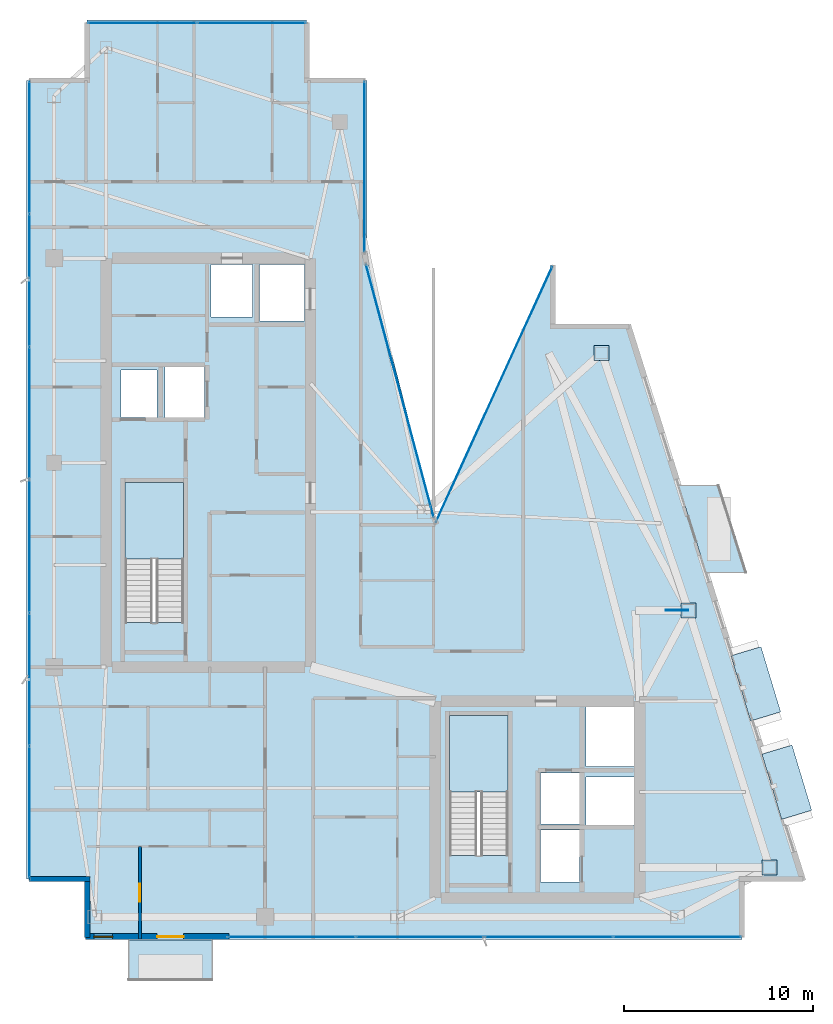
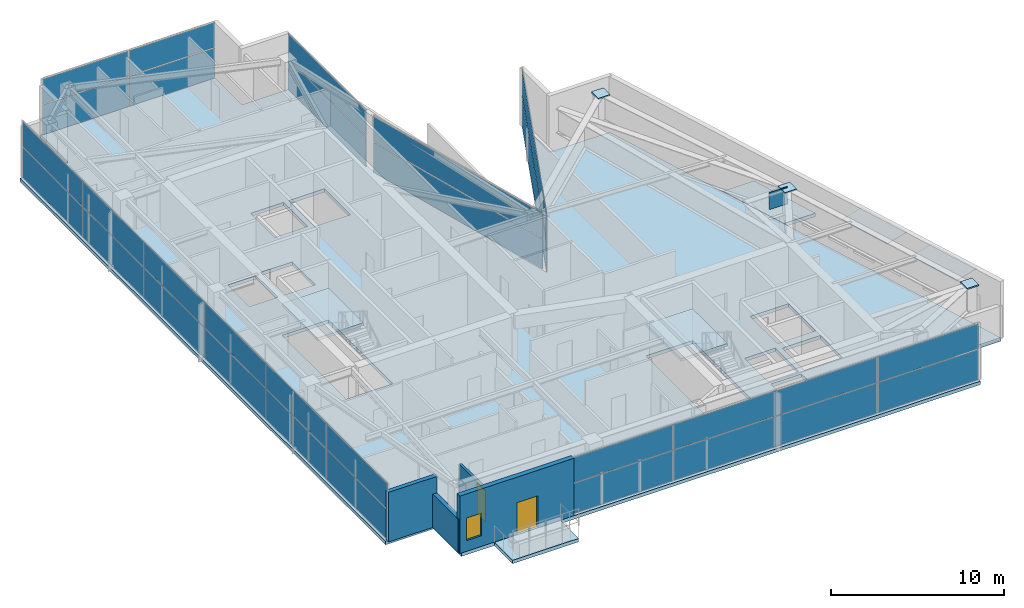
# One storey, part 20 of 26: 36 plates, 5 slabs, 4 walls, 2 doors, 1 window, 3 openings, 8 elements without a shape of their own.
"""IFC4 building model written with IfcOpenShell, lengths in metres."""

from ifc_helpers import new_model, si_unit, direction, frame, frame_2d, origin, origin_2d, place, context, subcontext, project, spatial, polyline, rectangle, outline, extrude, material, layer, layer_set, type_object, element, fill, aggregate, save


model = new_model("IFC4")

# Units and contexts
model_context = context("Model", 3, precision=1e-05, world=origin(), true_north=direction((0.0, 1.0)))
body_context = subcontext(model_context, "Body", "Model", "MODEL_VIEW")
ifc_project = project(units=[si_unit("LENGTHUNIT", "METRE"), si_unit("AREAUNIT", "SQUARE_METRE"), si_unit("VOLUMEUNIT", "CUBIC_METRE"), si_unit("PLANEANGLEUNIT", "RADIAN"), si_unit("MASSUNIT", "GRAM", prefix="KILO")], contexts=[model_context])

# Site, building, storey
site_placement = place(None, origin())
site = spatial("IfcSite", under=ifc_project, at=site_placement, CompositionType="ELEMENT")
building_placement = place(site_placement, origin())
building = spatial("IfcBuilding", under=site, at=building_placement, Name="Calvorn Quay Hotel", CompositionType="ELEMENT")
storey_placement = place(building_placement, frame((0.0, 0.0, 302.5)))
storey = spatial("IfcBuildingStorey", under=building, at=storey_placement, Name="L75", CompositionType="ELEMENT", Elevation=302.5)

# Curtain wall, plates
ifc_material_1 = material(Name="Champagne Bronze Anodised Aluminium and Low-E Glass", Category="aluminium")
ifc_layer_1 = layer(ifc_material_1, 0.219970703125)
ifc_layer_set_1 = layer_set([ifc_layer_1], Name="CW-SYS-Z4")
curtain_wall_type = type_object("IfcCurtainWallType", Name="CW-SYS-Z4", PredefinedType="NOTDEFINED", material=ifc_layer_set_1)
curtain_wall_1_placement = place(storey_placement, origin())
curtain_wall_1 = element("IfcCurtainWall", 1, at=curtain_wall_1_placement, inside=storey, type_object=curtain_wall_type, Name="Tower West Curtain Wall (L75)", PredefinedType="NOTDEFINED")
ifc_material_2 = material(Name="Low-E Laminated Double Glazing", Category="glass")
ifc_layer_2 = layer(ifc_material_2, 0.028076171875)
ifc_layer_set_2 = layer_set([ifc_layer_2], Name="CW-SYS-Z4-PAN")
plate_type_1 = type_object("IfcPlateType", Name="CW-SYS-Z4-PAN", PredefinedType="CURTAIN_PANEL", material=ifc_layer_set_2)
plate_1_placement = place(storey_placement, frame((0.14990234375, 9.131591796875, 0.06005859375), z_axis=(0.0, 0.0, 1.0), x_axis=(0.0, 1.0, 0.0)))
plate_1 = element("IfcPlate", 2, at=plate_1_placement, type_object=plate_type_1, Name="CW-L75-W panel 1.1", PredefinedType="CURTAIN_PANEL", context=body_context, shape_type="SweptSolid", body=[
    extrude(rectangle(XDim=6.943359375, YDim=0.028076171875, at=origin_2d()), origin(), (0.0, 0.0, 1.0), 2.110107421875),
])
plate_2_placement = place(storey_placement, frame((0.14990234375, 9.131591796875, 2.22998046875), z_axis=(0.0, 0.0, 1.0), x_axis=(0.0, 1.0, 0.0)))
plate_2 = element("IfcPlate", 3, at=plate_2_placement, type_object=plate_type_1, Name="CW-L75-W panel 1.2", PredefinedType="CURTAIN_PANEL", context=body_context, shape_type="SweptSolid", body=[
    extrude(rectangle(XDim=6.943359375, YDim=0.028076171875, at=origin_2d()), origin(), (0.0, 0.0, 1.0), 1.760009765625),
])
plate_3_placement = place(storey_placement, frame((0.14990234375, 16.14990234375, 0.06005859375), z_axis=(0.0, 0.0, 1.0), x_axis=(0.0, 1.0, 0.0)))
plate_3 = element("IfcPlate", 4, at=plate_3_placement, type_object=plate_type_1, Name="CW-L75-W panel 2.1", PredefinedType="CURTAIN_PANEL", context=body_context, shape_type="SweptSolid", body=[
    extrude(rectangle(XDim=6.973388671875, YDim=0.028076171875, at=origin_2d()), origin(), (0.0, 0.0, 1.0), 2.110107421875),
])
plate_4_placement = place(storey_placement, frame((0.14990234375, 16.14990234375, 2.22998046875), z_axis=(0.0, 0.0, 1.0), x_axis=(0.0, 1.0, 0.0)))
plate_4 = element("IfcPlate", 5, at=plate_4_placement, type_object=plate_type_1, Name="CW-L75-W panel 2.2", PredefinedType="CURTAIN_PANEL", context=body_context, shape_type="SweptSolid", body=[
    extrude(rectangle(XDim=6.973388671875, YDim=0.028076171875, at=origin_2d()), origin(), (0.0, 0.0, 1.0), 1.760009765625),
])
plate_5_placement = place(storey_placement, frame((0.14990234375, 23.183349609375, 0.06005859375), z_axis=(0.0, 0.0, 1.0), x_axis=(0.0, 1.0, 0.0)))
plate_5 = element("IfcPlate", 6, at=plate_5_placement, type_object=plate_type_1, Name="CW-L75-W panel 3.1", PredefinedType="CURTAIN_PANEL", context=body_context, shape_type="SweptSolid", body=[
    extrude(rectangle(XDim=6.973388671875, YDim=0.028076171875, at=origin_2d()), origin(), (0.0, 0.0, 1.0), 2.110107421875),
])
plate_6_placement = place(storey_placement, frame((0.14990234375, 23.183349609375, 2.22998046875), z_axis=(0.0, 0.0, 1.0), x_axis=(0.0, 1.0, 0.0)))
plate_6 = element("IfcPlate", 7, at=plate_6_placement, type_object=plate_type_1, Name="CW-L75-W panel 3.2", PredefinedType="CURTAIN_PANEL", context=body_context, shape_type="SweptSolid", body=[
    extrude(rectangle(XDim=6.973388671875, YDim=0.028076171875, at=origin_2d()), origin(), (0.0, 0.0, 1.0), 1.760009765625),
])
plate_7_placement = place(storey_placement, frame((0.14990234375, 30.216552734375, 0.06005859375), z_axis=(0.0, 0.0, 1.0), x_axis=(0.0, 1.0, 0.0)))
plate_7 = element("IfcPlate", 8, at=plate_7_placement, type_object=plate_type_1, Name="CW-L75-W panel 4.1", PredefinedType="CURTAIN_PANEL", context=body_context, shape_type="SweptSolid", body=[
    extrude(rectangle(XDim=6.973388671875, YDim=0.028076171875, at=origin_2d()), origin(), (0.0, 0.0, 1.0), 2.110107421875),
])
plate_8_placement = place(storey_placement, frame((0.14990234375, 30.216552734375, 2.22998046875), z_axis=(0.0, 0.0, 1.0), x_axis=(0.0, 1.0, 0.0)))
plate_8 = element("IfcPlate", 9, at=plate_8_placement, type_object=plate_type_1, Name="CW-L75-W panel 4.2", PredefinedType="CURTAIN_PANEL", context=body_context, shape_type="SweptSolid", body=[
    extrude(rectangle(XDim=6.973388671875, YDim=0.028076171875, at=origin_2d()), origin(), (0.0, 0.0, 1.0), 1.760009765625),
])
plate_9_placement = place(storey_placement, frame((0.14990234375, 37.25, 0.06005859375), z_axis=(0.0, 0.0, 1.0), x_axis=(0.0, 1.0, 0.0)))
plate_9 = element("IfcPlate", 10, at=plate_9_placement, type_object=plate_type_1, Name="CW-L75-W panel 5.1", PredefinedType="CURTAIN_PANEL", context=body_context, shape_type="SweptSolid", body=[
    extrude(rectangle(XDim=6.973388671875, YDim=0.028076171875, at=origin_2d()), origin(), (0.0, 0.0, 1.0), 2.110107421875),
])
plate_10_placement = place(storey_placement, frame((0.14990234375, 37.25, 2.22998046875), z_axis=(0.0, 0.0, 1.0), x_axis=(0.0, 1.0, 0.0)))
plate_10 = element("IfcPlate", 11, at=plate_10_placement, type_object=plate_type_1, Name="CW-L75-W panel 5.2", PredefinedType="CURTAIN_PANEL", context=body_context, shape_type="SweptSolid", body=[
    extrude(rectangle(XDim=6.973388671875, YDim=0.028076171875, at=origin_2d()), origin(), (0.0, 0.0, 1.0), 1.760009765625),
])
plate_11_placement = place(storey_placement, frame((0.14990234375, 44.268310546875, 0.06005859375), z_axis=(0.0, 0.0, 1.0), x_axis=(0.0, 1.0, 0.0)))
plate_11 = element("IfcPlate", 12, at=plate_11_placement, type_object=plate_type_1, Name="CW-L75-W panel 6.1", PredefinedType="CURTAIN_PANEL", context=body_context, shape_type="SweptSolid", body=[
    extrude(rectangle(XDim=6.943359375, YDim=0.028076171875, at=origin_2d()), origin(), (0.0, 0.0, 1.0), 2.110107421875),
])
plate_12_placement = place(storey_placement, frame((0.14990234375, 44.268310546875, 2.22998046875), z_axis=(0.0, 0.0, 1.0), x_axis=(0.0, 1.0, 0.0)))
plate_12 = element("IfcPlate", 13, at=plate_12_placement, type_object=plate_type_1, Name="CW-L75-W panel 6.2", PredefinedType="CURTAIN_PANEL", context=body_context, shape_type="SweptSolid", body=[
    extrude(rectangle(XDim=6.943359375, YDim=0.028076171875, at=origin_2d()), origin(), (0.0, 0.0, 1.0), 1.760009765625),
])
aggregate(curtain_wall_1, [plate_1, plate_2, plate_3, plate_4, plate_5, plate_6, plate_7, plate_8, plate_9, plate_10, plate_11, plate_12])

curtain_wall_2_placement = place(storey_placement, origin())
curtain_wall_2 = element("IfcCurtainWall", 14, at=curtain_wall_2_placement, inside=storey, type_object=curtain_wall_type, Name="Tower South Waterfront Curtain Wall (L75)", PredefinedType="NOTDEFINED")
plate_13_placement = place(storey_placement, frame((14.014892578125, 2.550048828125, 0.06005859375), z_axis=(0.0, 0.0, 1.0), x_axis=(1.0, 0.0, 0.0)))
plate_13 = element("IfcPlate", 15, at=plate_13_placement, type_object=plate_type_1, Name="CW-L75-S panel 1.1", PredefinedType="CURTAIN_PANEL", context=body_context, shape_type="SweptSolid", body=[
    extrude(rectangle(XDim=6.7099609375, YDim=0.028076171875, at=origin_2d()), origin(), (0.0, 0.0, 1.0), 2.110107421875),
])
plate_14_placement = place(storey_placement, frame((14.014892578125, 2.550048828125, 2.22998046875), z_axis=(0.0, 0.0, 1.0), x_axis=(1.0, 0.0, 0.0)))
plate_14 = element("IfcPlate", 16, at=plate_14_placement, type_object=plate_type_1, Name="CW-L75-S panel 1.2", PredefinedType="CURTAIN_PANEL", context=body_context, shape_type="SweptSolid", body=[
    extrude(rectangle(XDim=6.7099609375, YDim=0.028076171875, at=origin_2d()), origin(), (0.0, 0.0, 1.0), 1.760009765625),
])
plate_15_placement = place(storey_placement, frame((20.800048828125, 2.550048828125, 0.06005859375), z_axis=(0.0, 0.0, 1.0), x_axis=(1.0, 0.0, 0.0)))
plate_15 = element("IfcPlate", 17, at=plate_15_placement, type_object=plate_type_1, Name="CW-L75-S panel 2.1", PredefinedType="CURTAIN_PANEL", context=body_context, shape_type="SweptSolid", body=[
    extrude(rectangle(XDim=6.739990234375, YDim=0.028076171875, at=origin_2d()), origin(), (0.0, 0.0, 1.0), 2.110107421875),
])
plate_16_placement = place(storey_placement, frame((20.800048828125, 2.550048828125, 2.22998046875), z_axis=(0.0, 0.0, 1.0), x_axis=(1.0, 0.0, 0.0)))
plate_16 = element("IfcPlate", 18, at=plate_16_placement, type_object=plate_type_1, Name="CW-L75-S panel 2.2", PredefinedType="CURTAIN_PANEL", context=body_context, shape_type="SweptSolid", body=[
    extrude(rectangle(XDim=6.739990234375, YDim=0.028076171875, at=origin_2d()), origin(), (0.0, 0.0, 1.0), 1.760009765625),
])
plate_17_placement = place(storey_placement, frame((27.60009765625, 2.550048828125, 0.06005859375), z_axis=(0.0, 0.0, 1.0), x_axis=(1.0, 0.0, 0.0)))
plate_17 = element("IfcPlate", 19, at=plate_17_placement, type_object=plate_type_1, Name="CW-L75-S panel 3.1", PredefinedType="CURTAIN_PANEL", context=body_context, shape_type="SweptSolid", body=[
    extrude(rectangle(XDim=6.739990234375, YDim=0.028076171875, at=origin_2d()), origin(), (0.0, 0.0, 1.0), 2.110107421875),
])
plate_18_placement = place(storey_placement, frame((27.60009765625, 2.550048828125, 2.22998046875), z_axis=(0.0, 0.0, 1.0), x_axis=(1.0, 0.0, 0.0)))
plate_18 = element("IfcPlate", 20, at=plate_18_placement, type_object=plate_type_1, Name="CW-L75-S panel 3.2", PredefinedType="CURTAIN_PANEL", context=body_context, shape_type="SweptSolid", body=[
    extrude(rectangle(XDim=6.739990234375, YDim=0.028076171875, at=origin_2d()), origin(), (0.0, 0.0, 1.0), 1.760009765625),
])
plate_19_placement = place(storey_placement, frame((34.385009765625, 2.550048828125, 0.06005859375), z_axis=(0.0, 0.0, 1.0), x_axis=(1.0, 0.0, 0.0)))
plate_19 = element("IfcPlate", 21, at=plate_19_placement, type_object=plate_type_1, Name="CW-L75-S panel 4.1", PredefinedType="CURTAIN_PANEL", context=body_context, shape_type="SweptSolid", body=[
    extrude(rectangle(XDim=6.7099609375, YDim=0.028076171875, at=origin_2d()), origin(), (0.0, 0.0, 1.0), 2.110107421875),
])
plate_20_placement = place(storey_placement, frame((34.385009765625, 2.550048828125, 2.22998046875), z_axis=(0.0, 0.0, 1.0), x_axis=(1.0, 0.0, 0.0)))
plate_20 = element("IfcPlate", 22, at=plate_20_placement, type_object=plate_type_1, Name="CW-L75-S panel 4.2", PredefinedType="CURTAIN_PANEL", context=body_context, shape_type="SweptSolid", body=[
    extrude(rectangle(XDim=6.7099609375, YDim=0.028076171875, at=origin_2d()), origin(), (0.0, 0.0, 1.0), 1.760009765625),
])
aggregate(curtain_wall_2, [plate_13, plate_14, plate_15, plate_16, plate_17, plate_18, plate_19, plate_20])

curtain_wall_3_placement = place(storey_placement, origin())
curtain_wall_3 = element("IfcCurtainWall", 23, at=curtain_wall_3_placement, inside=storey, type_object=curtain_wall_type, Name="Inner Court Curtain Wall L75-NE1", PredefinedType="NOTDEFINED")
plate_21_placement = place(storey_placement, frame((24.699951171875, 31.199951171875, 0.06005859375), z_axis=(0.0, 0.0, 1.0), x_axis=(-0.414810847724, -0.909907665981, 0.0)))
plate_21 = element("IfcPlate", 24, at=plate_21_placement, type_object=plate_type_1, Name="CW-L75-NE1 panel 1.1", PredefinedType="CURTAIN_PANEL", context=body_context, shape_type="SweptSolid", body=[
    extrude(rectangle(XDim=14.82666015625, YDim=0.028076171875, at=origin_2d()), origin(), (0.0, 0.0, 1.0), 2.110107421875),
])
plate_22_placement = place(storey_placement, frame((24.699951171875, 31.199951171875, 2.22998046875), z_axis=(0.0, 0.0, 1.0), x_axis=(-0.414810847724, -0.909907665981, 0.0)))
plate_22 = element("IfcPlate", 25, at=plate_22_placement, type_object=plate_type_1, Name="CW-L75-NE1 panel 1.2", PredefinedType="CURTAIN_PANEL", context=body_context, shape_type="SweptSolid", body=[
    extrude(rectangle(XDim=14.82666015625, YDim=0.028076171875, at=origin_2d()), origin(), (0.0, 0.0, 1.0), 1.760009765625),
])
aggregate(curtain_wall_3, [plate_21, plate_22])

curtain_wall_4_placement = place(storey_placement, origin())
curtain_wall_4 = element("IfcCurtainWall", 26, at=curtain_wall_4_placement, inside=storey, type_object=curtain_wall_type, Name="Inner Court Curtain Wall L75-IC1", PredefinedType="NOTDEFINED")
plate_23_placement = place(storey_placement, frame((19.72509765625, 31.39990234375, 0.06005859375), z_axis=(0.0, 0.0, 1.0), x_axis=(-0.25877913024, 0.96593652056, 0.0)))
plate_23 = element("IfcPlate", 27, at=plate_23_placement, type_object=plate_type_1, Name="CW-L75-IC1 panel 1.1", PredefinedType="CURTAIN_PANEL", context=body_context, shape_type="SweptSolid", body=[
    extrude(rectangle(XDim=13.814697265625, YDim=0.028076171875, at=origin_2d()), origin(), (0.0, 0.0, 1.0), 2.110107421875),
])
plate_24_placement = place(storey_placement, frame((19.72509765625, 31.39990234375, 2.22998046875), z_axis=(0.0, 0.0, 1.0), x_axis=(-0.25877913024, 0.96593652056, 0.0)))
plate_24 = element("IfcPlate", 28, at=plate_24_placement, type_object=plate_type_1, Name="CW-L75-IC1 panel 1.2", PredefinedType="CURTAIN_PANEL", context=body_context, shape_type="SweptSolid", body=[
    extrude(rectangle(XDim=13.814697265625, YDim=0.028076171875, at=origin_2d()), origin(), (0.0, 0.0, 1.0), 1.760009765625),
])
aggregate(curtain_wall_4, [plate_23, plate_24])

curtain_wall_5_placement = place(storey_placement, origin())
curtain_wall_5 = element("IfcCurtainWall", 29, at=curtain_wall_5_placement, inside=storey, type_object=curtain_wall_type, Name="Inner Court Curtain Wall L75-IC2", PredefinedType="NOTDEFINED")
plate_25_placement = place(storey_placement, frame((17.85009765625, 43.239990234375, 0.06005859375), z_axis=(0.0, 0.0, 1.0), x_axis=(0.0, 1.0, 0.0)))
plate_25 = element("IfcPlate", 30, at=plate_25_placement, type_object=plate_type_1, Name="CW-L75-IC2 panel 1.1", PredefinedType="CURTAIN_PANEL", context=body_context, shape_type="SweptSolid", body=[
    extrude(rectangle(XDim=9.0, YDim=0.028076171875, at=origin_2d()), origin(), (0.0, 0.0, 1.0), 2.110107421875),
])
plate_26_placement = place(storey_placement, frame((17.85009765625, 43.239990234375, 2.22998046875), z_axis=(0.0, 0.0, 1.0), x_axis=(0.0, 1.0, 0.0)))
plate_26 = element("IfcPlate", 31, at=plate_26_placement, type_object=plate_type_1, Name="CW-L75-IC2 panel 1.2", PredefinedType="CURTAIN_PANEL", context=body_context, shape_type="SweptSolid", body=[
    extrude(rectangle(XDim=9.0, YDim=0.028076171875, at=origin_2d()), origin(), (0.0, 0.0, 1.0), 1.760009765625),
])
aggregate(curtain_wall_5, [plate_25, plate_26])

curtain_wall_6_placement = place(storey_placement, origin())
curtain_wall_6 = element("IfcCurtainWall", 32, at=curtain_wall_6_placement, inside=storey, type_object=curtain_wall_type, Name="Inner Court Curtain Wall L75-N1", PredefinedType="NOTDEFINED")
plate_27_placement = place(storey_placement, frame((11.885009765625, 50.85009765625, 0.06005859375), z_axis=(0.0, 0.0, 1.0), x_axis=(-1.0, 0.0, 0.0)))
plate_27 = element("IfcPlate", 33, at=plate_27_placement, type_object=plate_type_1, Name="CW-L75-N1 panel 1.1", PredefinedType="CURTAIN_PANEL", context=body_context, shape_type="SweptSolid", body=[
    extrude(rectangle(XDim=5.7099609375, YDim=0.028076171875, at=origin_2d()), origin(), (0.0, 0.0, 1.0), 2.110107421875),
])
plate_28_placement = place(storey_placement, frame((11.885009765625, 50.85009765625, 2.22998046875), z_axis=(0.0, 0.0, 1.0), x_axis=(-1.0, 0.0, 0.0)))
plate_28 = element("IfcPlate", 34, at=plate_28_placement, type_object=plate_type_1, Name="CW-L75-N1 panel 1.2", PredefinedType="CURTAIN_PANEL", context=body_context, shape_type="SweptSolid", body=[
    extrude(rectangle(XDim=5.7099609375, YDim=0.028076171875, at=origin_2d()), origin(), (0.0, 0.0, 1.0), 1.760009765625),
])
plate_29_placement = place(storey_placement, frame((6.114990234375, 50.85009765625, 0.06005859375), z_axis=(0.0, 0.0, 1.0), x_axis=(-1.0, 0.0, 0.0)))
plate_29 = element("IfcPlate", 35, at=plate_29_placement, type_object=plate_type_1, Name="CW-L75-N1 panel 2.1", PredefinedType="CURTAIN_PANEL", context=body_context, shape_type="SweptSolid", body=[
    extrude(rectangle(XDim=5.7099609375, YDim=0.028076171875, at=origin_2d()), origin(), (0.0, 0.0, 1.0), 2.110107421875),
])
plate_30_placement = place(storey_placement, frame((6.114990234375, 50.85009765625, 2.22998046875), z_axis=(0.0, 0.0, 1.0), x_axis=(-1.0, 0.0, 0.0)))
plate_30 = element("IfcPlate", 36, at=plate_30_placement, type_object=plate_type_1, Name="CW-L75-N1 panel 2.2", PredefinedType="CURTAIN_PANEL", context=body_context, shape_type="SweptSolid", body=[
    extrude(rectangle(XDim=5.7099609375, YDim=0.028076171875, at=origin_2d()), origin(), (0.0, 0.0, 1.0), 1.760009765625),
])
aggregate(curtain_wall_6, [plate_27, plate_28, plate_29, plate_30])

# Plates
ifc_material_3 = material(Name="Steel Q420GJC", Category="steel")
ifc_layer_3 = layer(ifc_material_3, 0.050048828125)
ifc_layer_set_3 = layer_set([ifc_layer_3], Name="PLT-GUSSET-50")
plate_type_2 = type_object("IfcPlateType", Name="PLT-GUSSET-50", PredefinedType="SHEET", material=ifc_layer_set_3)
plate_31_placement = place(storey_placement, frame((34.3759765625, 19.800048828125, 2.9501953125), z_axis=(0.0, 0.0, 1.0), x_axis=(1.0, 0.0, 0.0)))
element("IfcPlate", 37, at=plate_31_placement, inside=storey, type_object=plate_type_2, Name="Transfer Gusset Plate PG-L75-E1", PredefinedType="SHEET", context=body_context, shape_type="SweptSolid", body=[
    extrude(rectangle(XDim=1.199951171875, YDim=0.050048828125, at=origin_2d()), origin(), (0.0, 0.0, 1.0), 1.199951171875),
])
ifc_material_4 = material(Name="Tempered Laminated Low-E Glass", Category="glass")
ifc_layer_4 = layer(ifc_material_4, 0.0380859375)
ifc_layer_set_4 = layer_set([ifc_layer_4], Name="PLT-HOOD-GLAZ")
plate_type_3 = type_object("IfcPlateType", Name="PLT-HOOD-GLAZ", PredefinedType="SHEET", material=ifc_layer_set_4)
for number, where, z_axis, x_axis, name in (
    (38, (40.174072265625, 10.718017578125, 2.467041015625), (0.0, 0.0, 1.0), (0.957319497532, 0.289031796944, 0.0), "Angled Glass Bay Hood Panel L75-HOOD-1"),
    (39, (38.534912109375, 15.91796875, 2.467041015625), (0.0, 0.0, 1.0), (0.957319497532, 0.289031796944, 0.0), "Angled Glass Bay Hood Panel L75-HOOD-2"),
):
    element("IfcPlate", number, at=place(storey_placement, frame(where, z_axis=z_axis, x_axis=x_axis)), inside=storey, type_object=plate_type_3, Name=name, PredefinedType="SHEET", context=body_context, shape_type="SweptSolid", body=[
        extrude(rectangle(XDim=1.659912109375, YDim=3.60009765625, at=origin_2d()), origin(), (0.0, 0.0, 1.0), 0.0380859375),
    ])
ifc_material_5 = material(Name="Steel Q390GJC", Category="steel")
ifc_layer_5 = layer(ifc_material_5, 0.031982421875)
ifc_layer_set_5 = layer_set([ifc_layer_5], Name="PLT-SPLICE-32")
plate_type_4 = type_object("IfcPlateType", Name="PLT-SPLICE-32", PredefinedType="USERDEFINED", material=ifc_layer_set_5)
for number, where, z_axis, x_axis, name in (
    (40, (39.260986328125, 6.199951171875, 3.989990234375), (0.0, 0.0, 1.0), (1.0, 0.0, 0.0), "Column Top Cap Plate C-ET1 (L75)"),
    (41, (34.97607421875, 19.800048828125, 3.989990234375), (0.0, 0.0, 1.0), (1.0, 0.0, 0.0), "Column Top Cap Plate C-ET2 (L75)"),
    (42, (30.39111328125, 33.39990234375, 3.989990234375), (0.0, 0.0, 1.0), (1.0, 0.0, 0.0), "Column Top Cap Plate C-ET3 (L75)"),
):
    element("IfcPlate", number, at=place(storey_placement, frame(where, z_axis=z_axis, x_axis=x_axis)), inside=storey, type_object=plate_type_4, Name=name, ObjectType="SPLICE_PLATE", PredefinedType="USERDEFINED", context=body_context, shape_type="SweptSolid", body=[
        extrude(rectangle(XDim=0.7900390625, YDim=0.7900390625, at=origin_2d()), origin(), (0.0, 0.0, 1.0), 0.10009765625),
    ])

# Slabs
ifc_material_6 = material(Name="Concrete C40", Category="concrete")
ifc_layer_6 = layer(ifc_material_6, 0.239990234375)
ifc_layer_set_6 = layer_set([ifc_layer_6], Name="SLB-BALCONY-220")
slab_type_1 = type_object("IfcSlabType", Name="SLB-BALCONY-220", PredefinedType="FLOOR", material=ifc_layer_set_6)
slab_1_placement = place(storey_placement, frame((0.0, 0.0, -0.239990234375)))
element("IfcSlab", 43, at=slab_1_placement, inside=storey, type_object=slab_type_1, Name="Tree Balcony Slab L75-BALC-E", PredefinedType="FLOOR", context=body_context, shape_type="SweptSolid", body=[
    extrude(outline(polyline([(35.906005859375, 21.800048828125), (38.006103515625, 21.800048828125), (36.556884765625, 26.39990234375), (34.45703125, 26.39990234375), (35.906005859375, 21.800048828125)])), origin(), (0.0, 0.0, 1.0), 0.239990234375),
])
slab_2_placement = place(storey_placement, frame((0.0, 0.0, -0.239990234375)))
element("IfcSlab", 44, at=slab_2_placement, inside=storey, type_object=slab_type_1, Name="Tree Balcony Slab L75-BALC-S", PredefinedType="FLOOR", context=body_context, shape_type="SweptSolid", body=[
    extrude(outline(polyline([(5.39990234375, 0.2900390625), (9.800048828125, 0.2900390625), (9.800048828125, 2.389892578125), (5.39990234375, 2.389892578125), (5.39990234375, 0.2900390625)])), origin(), (0.0, 0.0, 1.0), 0.239990234375),
])

# Stair, slab
ifc_material_7 = material(Name="Concrete C40", Category="concrete")
stair_type = type_object("IfcStairType", Name="STR-CORE-DOGLEG", PredefinedType="HALF_TURN_STAIR", material=ifc_material_7)
stair_1_placement = place(storey_placement, origin())
stair_1 = element("IfcStair", 45, at=stair_1_placement, inside=storey, type_object=stair_type, Name="L75 ST-W", PredefinedType="HALF_TURN_STAIR")
ifc_material_8 = material(Name="Concrete C40", Category="concrete")
ifc_layer_7 = layer(ifc_material_8, 0.199951171875)
ifc_layer_set_7 = layer_set([ifc_layer_7], Name="SLB-STAIR-LANDING-200")
slab_type_2 = type_object("IfcSlabType", Name="SLB-STAIR-LANDING-200", PredefinedType="LANDING", material=ifc_layer_set_7)
slab_3_placement = place(storey_placement, frame((0.0, 0.0, 2.050048828125)))
slab_3 = element("IfcSlab", 46, at=slab_3_placement, type_object=slab_type_2, Name="ST-W landing 1", PredefinedType="LANDING", context=body_context, shape_type="SweptSolid", body=[
    extrude(outline(polyline([(8.300048828125, 22.510009765625), (8.300048828125, 26.550048828125), (5.199951171875, 26.550048828125), (5.199951171875, 22.510009765625), (8.300048828125, 22.510009765625)])), origin(), (0.0, 0.0, 1.0), 0.199951171875),
])
aggregate(stair_1, [slab_3])

stair_2_placement = place(storey_placement, origin())
stair_2 = element("IfcStair", 47, at=stair_2_placement, inside=storey, type_object=stair_type, Name="L75 ST-E", PredefinedType="HALF_TURN_STAIR")
slab_4_placement = place(storey_placement, frame((0.0, 0.0, 2.050048828125)))
slab_4 = element("IfcSlab", 48, at=slab_4_placement, type_object=slab_type_2, Name="ST-E landing 1", PredefinedType="LANDING", context=body_context, shape_type="SweptSolid", body=[
    extrude(outline(polyline([(25.449951171875, 10.2099609375), (25.449951171875, 14.25), (22.35009765625, 14.25), (22.35009765625, 10.2099609375), (25.449951171875, 10.2099609375)])), origin(), (0.0, 0.0, 1.0), 0.199951171875),
])
aggregate(stair_2, [slab_4])

# Slab
ifc_material_9 = material(Name="Concrete C40", Category="concrete")
ifc_layer_8 = layer(ifc_material_9, 0.239990234375)
ifc_layer_set_8 = layer_set([ifc_layer_8], Name="SLB-TOWER-240")
slab_type_3 = type_object("IfcSlabType", Name="SLB-TOWER-240", PredefinedType="FLOOR", material=ifc_layer_set_8)
slab_5_placement = place(storey_placement, frame((0.0, 0.0, -0.239990234375)))
element("IfcSlab", 49, at=slab_5_placement, inside=storey, type_object=slab_type_3, Name="L75 Structural Floor Slab", PredefinedType="FLOOR", context=body_context, shape_type="SweptSolid", body=[
    extrude(outline(polyline([(0.0, 5.60009765625), (3.199951171875, 5.60009765625), (3.199951171875, 2.39990234375), (37.800048828125, 2.39990234375), (37.800048828125, 5.60009765625), (41.0, 5.60009765625), (31.800048828125, 34.800048828125), (27.800048828125, 34.800048828125), (27.800048828125, 38.0), (21.60009765625, 24.39990234375), (18.0, 38.39990234375), (18.0, 47.800048828125), (14.800048828125, 47.800048828125), (14.800048828125, 51.0), (3.199951171875, 51.0), (3.199951171875, 47.800048828125), (0.0, 47.800048828125), (0.0, 5.60009765625)]), holes=[polyline([(5.199951171875, 19.156005859375), (8.300048828125, 19.156005859375), (8.300048828125, 26.550048828125), (5.199951171875, 26.550048828125), (5.199951171875, 19.156005859375)]), polyline([(22.35009765625, 6.85595703125), (25.449951171875, 6.85595703125), (25.449951171875, 14.25), (22.35009765625, 14.25), (22.35009765625, 6.85595703125)]), polyline([(5.0, 30.0), (6.89990234375, 30.0), (6.89990234375, 32.5), (5.0, 32.5), (5.0, 30.0)]), polyline([(7.300048828125, 30.0), (9.39990234375, 30.0), (9.39990234375, 32.64990234375), (7.300048828125, 32.64990234375), (7.300048828125, 30.0)]), polyline([(27.159912109375, 8.5), (29.2099609375, 8.5), (29.2099609375, 11.199951171875), (27.159912109375, 11.199951171875), (27.159912109375, 8.5)]), polyline([(27.159912109375, 5.449951171875), (29.2099609375, 5.449951171875), (29.2099609375, 8.199951171875), (27.159912109375, 8.199951171875), (27.159912109375, 5.449951171875)]), polyline([(12.300048828125, 35.10009765625), (14.68994140625, 35.10009765625), (14.68994140625, 38.090087890625), (12.300048828125, 38.090087890625), (12.300048828125, 35.10009765625)]), polyline([(9.75, 35.300048828125), (11.949951171875, 35.300048828125), (11.949951171875, 38.090087890625), (9.75, 38.090087890625), (9.75, 35.300048828125)]), polyline([(29.550048828125, 11.550048828125), (32.090087890625, 11.550048828125), (32.090087890625, 14.68994140625), (29.550048828125, 14.68994140625), (29.550048828125, 11.550048828125)]), polyline([(29.550048828125, 8.449951171875), (32.090087890625, 8.449951171875), (32.090087890625, 11.0), (29.550048828125, 11.0), (29.550048828125, 8.449951171875)])]), origin(), (0.0, 0.0, 1.0), 0.239990234375),
])

# Wall, openings, door, window
ifc_material_10 = material(Name="Concrete C40", Category="concrete")
ifc_layer_9 = layer(ifc_material_10, 0.320068359375)
ifc_layer_set_9 = layer_set([ifc_layer_9], Name="WL-EXT-SPANDREL-320")
wall_type_1 = type_object("IfcWallType", Name="WL-EXT-SPANDREL-320", PredefinedType="SOLIDWALL", material=ifc_layer_set_9)
wall_1_placement = place(storey_placement, frame((3.10009765625, 2.56005859375, 0.0), z_axis=(0.0, 0.0, 1.0), x_axis=(1.0, 0.0, 0.0)))
wall_1 = element("IfcWall", 50, at=wall_1_placement, inside=storey, type_object=wall_type_1, Name="South Balcony Exterior Wall (L75)", PredefinedType="SOLIDWALL", context=body_context, shape_type="SweptSolid", body=[
    extrude(rectangle(XDim=7.599853515625, YDim=0.320068359375, at=frame_2d((3.7998046875, 0.0))), origin(), (0.0, 0.0, 1.0), 4.050048828125),
])
opening_1_placement = place(wall_1_placement, frame((0.449951171875, 0.0, 0.75)))
opening_1 = element("IfcOpeningElement", 51, at=opening_1_placement, cuts=wall_1, Name="Opening WSB-L75-1", PredefinedType="OPENING", context=body_context, shape_type="SweptSolid", body=[
    extrude(rectangle(XDim=1.0, YDim=1.60009765625, at=frame_2d((0.5, 0.800048828125))), frame((0.0, 0.169921875, 0.0), z_axis=(0.0, -1.0, 0.0), x_axis=(1.0, 0.0, 0.0)), (0.0, 0.0, 1.0), 0.340087890625),
])
opening_2_placement = place(wall_1_placement, frame((3.800048828125, 0.0, 0.0)))
opening_2 = element("IfcOpeningElement", 52, at=opening_2_placement, cuts=wall_1, Name="Opening DB-L75-2", PredefinedType="OPENING", context=body_context, shape_type="SweptSolid", body=[
    extrude(rectangle(XDim=1.39990234375, YDim=2.25, at=frame_2d((0.699951171875, 1.125))), frame((0.0, 0.169921875, 0.0), z_axis=(0.0, -1.0, 0.0), x_axis=(1.0, 0.0, 0.0)), (0.0, 0.0, 1.0), 0.340087890625),
])
ifc_material_11 = material(Name="Typhoon-Rated Low-E Aluminium Terrace Door", Category="aluminium")
door_type_1 = type_object("IfcDoorType", Name="DR-BALCONY-GLZ-1400", OperationType="NOTDEFINED", PredefinedType="DOOR", material=ifc_material_11)
door_1_placement = place(opening_2_placement, origin())
door_1 = element("IfcDoor", 53, at=door_1_placement, inside=storey, type_object=door_type_1, Name="Tree Balcony Terrace Door L75-BALC-S", OperationType="SINGLE_SWING_LEFT", OverallHeight=2.25, OverallWidth=1.39990234375, PredefinedType="DOOR", context=body_context, shape_type="SweptSolid", body=[
    extrude(rectangle(XDim=1.39990234375, YDim=2.25, at=frame_2d((0.699951171875, 1.125))), frame((0.0, 0.02490234375, 0.0), z_axis=(0.0, -1.0, 0.0), x_axis=(1.0, 0.0, 0.0)), (0.0, 0.0, 1.0), 0.050048828125),
])
fill(opening_2, door_1)
ifc_material_12 = material(Name="Self-Closing Class B Side Fire Window")
window_type = type_object("IfcWindowType", Name="WIN-REFUGE-NARROW-1000x1600", PartitioningType="SINGLE_PANEL", PredefinedType="WINDOW", material=ifc_material_12)
window_placement = place(opening_1_placement, origin())
window = element("IfcWindow", 54, at=window_placement, inside=storey, type_object=window_type, Name="South Waterfront Side Window (L75)", OverallHeight=1.60009765625, OverallWidth=1.0, PartitioningType="SINGLE_PANEL", PredefinedType="WINDOW", context=body_context, shape_type="SweptSolid", body=[
    extrude(rectangle(XDim=1.0, YDim=1.60009765625, at=frame_2d((0.5, 0.800048828125))), frame((0.0, 0.030029296875, 0.0), z_axis=(0.0, -1.0, 0.0), x_axis=(1.0, 0.0, 0.0)), (0.0, 0.0, 1.0), 0.06005859375),
])
fill(opening_1, window)

# Walls
wall_2_placement = place(storey_placement, frame((0.1201171875, 5.60009765625, 0.0), z_axis=(0.0, 0.0, 1.0), x_axis=(1.0, 0.0, 0.0)))
element("IfcWall", 55, at=wall_2_placement, inside=storey, type_object=wall_type_1, Name="Notched Corner Spandrel L75-SW1", PredefinedType="SOLIDWALL", context=body_context, shape_type="SweptSolid", body=[
    extrude(rectangle(XDim=3.219970703125, YDim=0.280029296875, at=frame_2d((1.60986328125, 0.0))), origin(), (0.0, 0.0, 1.0), 3.5),
])
wall_3_placement = place(storey_placement, frame((3.199951171875, 5.4599609375, 0.0), z_axis=(0.0, 0.0, 1.0), x_axis=(0.0, -1.0, 0.0)))
element("IfcWall", 56, at=wall_3_placement, inside=storey, type_object=wall_type_1, Name="Notched Corner Spandrel L75-SW2", PredefinedType="SOLIDWALL", context=body_context, shape_type="SweptSolid", body=[
    extrude(rectangle(XDim=2.93994140625, YDim=0.280029296875, at=frame_2d((1.469970703125, 0.0))), origin(), (0.0, 0.0, 1.0), 2.35009765625),
])

# Wall, opening, door
ifc_material_13 = material(Name="Double-Stud Acoustic Gypsum Partition")
ifc_layer_10 = layer(ifc_material_13, 0.159912109375)
ifc_layer_set_10 = layer_set([ifc_layer_10], Name="WL-INTERSUITE-160")
wall_type_2 = type_object("IfcWallType", Name="WL-INTERSUITE-160", PredefinedType="PARTITIONING", material=ifc_layer_set_10)
wall_4_placement = place(storey_placement, frame((5.97998046875, 2.43994140625, 0.0), z_axis=(0.0, 0.0, 1.0), x_axis=(0.0, 1.0, 0.0)))
wall_4 = element("IfcWall", 57, at=wall_4_placement, inside=storey, type_object=wall_type_2, Name="Partition Wall L75-WL-U01-MSP", PredefinedType="PARTITIONING", context=body_context, shape_type="SweptSolid", body=[
    extrude(rectangle(XDim=4.880126953125, YDim=0.159912109375, at=frame_2d((2.43994140625, 0.0))), origin(), (0.0, 0.0, 1.0), 2.35009765625),
])
opening_3_placement = place(wall_4_placement, frame((1.9599609375, 0.0, 0.0)))
opening_3 = element("IfcOpeningElement", 58, at=opening_3_placement, cuts=wall_4, Name="Opening D-L75-M01", PredefinedType="OPENING", context=body_context, shape_type="SweptSolid", body=[
    extrude(rectangle(XDim=0.9599609375, YDim=2.199951171875, at=frame_2d((0.47998046875, 1.10009765625))), frame((0.0, 0.08984375, 0.0), z_axis=(0.0, -1.0, 0.0), x_axis=(1.0, 0.0, 0.0)), (0.0, 0.0, 1.0), 0.179931640625),
])
ifc_material_14 = material(Name="Solid Timber Internal Suite Door", Category="wood")
door_type_2 = type_object("IfcDoorType", Name="DR-SUITE-INT-960", OperationType="NOTDEFINED", PredefinedType="DOOR", material=ifc_material_14)
door_2_placement = place(opening_3_placement, origin())
door_2 = element("IfcDoor", 59, at=door_2_placement, inside=storey, type_object=door_type_2, Name="Suite Bedroom Door 01", OperationType="SINGLE_SWING_LEFT", OverallHeight=2.199951171875, OverallWidth=0.9599609375, PredefinedType="DOOR", context=body_context, shape_type="SweptSolid", body=[
    extrude(rectangle(XDim=0.9599609375, YDim=2.199951171875, at=frame_2d((0.47998046875, 1.10009765625))), frame((0.0, 0.02490234375, 0.0), z_axis=(0.0, -1.0, 0.0), x_axis=(1.0, 0.0, 0.0)), (0.0, 0.0, 1.0), 0.050048828125),
])
fill(opening_3, door_2)

save(model, "model.ifc")
